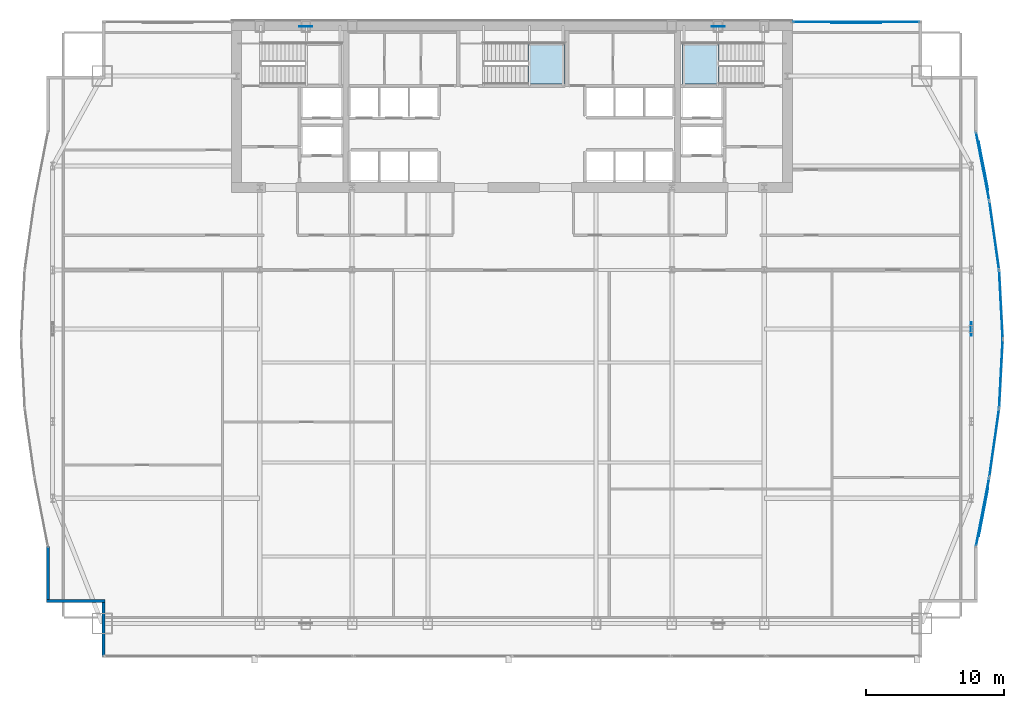
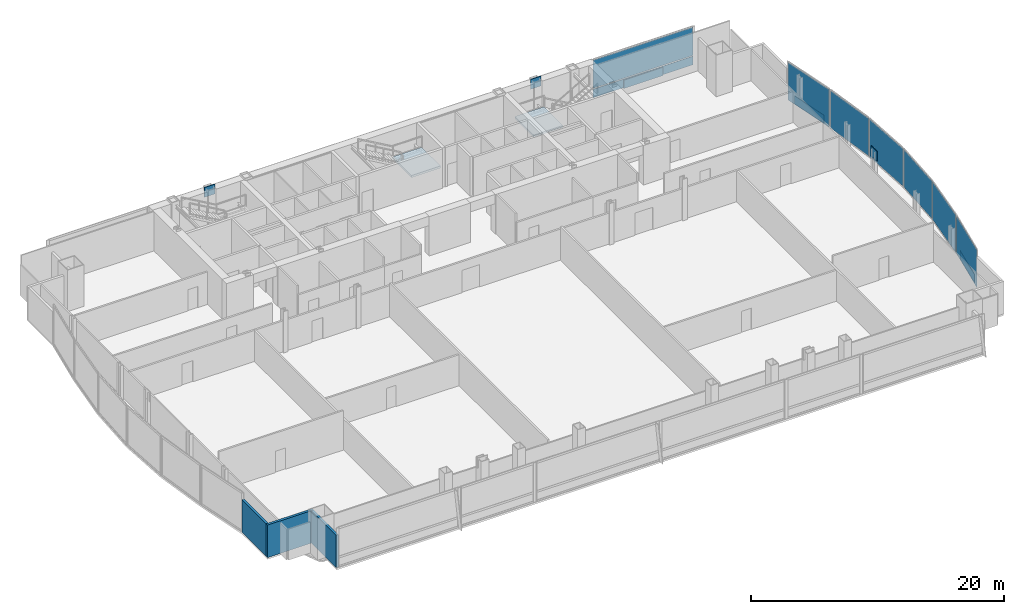
# One storey, part 27 of 34: 14 plates, 3 walls, 2 slabs, 9 elements without a shape of their own.
"""IFC4 building model written with IfcOpenShell, lengths in metres."""

from ifc_helpers import new_model, si_unit, direction, frame, frame_2d, origin, origin_2d, place, context, subcontext, project, spatial, polyline, rectangle, outline, extrude, material, layer, layer_set, type_object, element, aggregate, save


model = new_model("IFC4")

# Units and contexts
model_context = context("Model", 3, precision=1e-05, world=origin(), true_north=direction((0.0, 1.0)))
body_context = subcontext(model_context, "Body", "Model", "MODEL_VIEW")
ifc_project = project(units=[si_unit("LENGTHUNIT", "METRE"), si_unit("AREAUNIT", "SQUARE_METRE"), si_unit("VOLUMEUNIT", "CUBIC_METRE"), si_unit("PLANEANGLEUNIT", "RADIAN"), si_unit("MASSUNIT", "GRAM", prefix="KILO")], contexts=[model_context])

# Site, building, storey
site_placement = place(None, origin())
site = spatial("IfcSite", under=ifc_project, at=site_placement, CompositionType="ELEMENT")
building_placement = place(site_placement, origin())
building = spatial("IfcBuilding", under=site, at=building_placement, Name="Khoronbel Lancet Exchange", CompositionType="ELEMENT")
storey_placement = place(building_placement, frame((0.0, 0.0, 102.60009765625)))
storey = spatial("IfcBuildingStorey", under=building, at=storey_placement, Name="L24", CompositionType="ELEMENT", Elevation=102.60009765625)

# Curtain wall, plate
ifc_material_1 = material(Name="Low-E Solar Control Insulating Glass", Category="glass")
curtain_wall_type_1 = type_object("IfcCurtainWallType", Name="CW-2", PredefinedType="NOTDEFINED", material=ifc_material_1)
curtain_wall_1_placement = place(storey_placement, origin())
curtain_wall_1 = element("IfcCurtainWall", 1, at=curtain_wall_1_placement, inside=storey, type_object=curtain_wall_type_1, Name="Unitised curtain wall CW-L24-NEFLK", PredefinedType="NOTDEFINED")
ifc_material_2 = material(Name="Bronze-Anodised Aluminium 6063-T6", Category="aluminium")
ifc_layer_1 = layer(ifc_material_2, 0.050048828125, Name="Bronze-Anodised Aluminium 6063-T6")
ifc_layer_set_1 = layer_set([ifc_layer_1], Name="Bronze-Anodised Aluminium 6063-T6")
plate_type_1 = type_object("IfcPlateType", Name="PLT-CSP1", PredefinedType="SHEET", material=ifc_layer_set_1)
plate_1_placement = place(storey_placement, frame((61.320068359375, 53.550048828125, 0.0498046875), z_axis=(0.0, 0.0, 1.0), x_axis=(-1.0, 0.0, 0.0)))
plate_1 = element("IfcPlate", 2, at=plate_1_placement, type_object=plate_type_1, Name="Insulated bronze spandrel cassette CW-L24-NEFLK", PredefinedType="SHEET", context=body_context, shape_type="SweptSolid", body=[
    extrude(rectangle(XDim=3.60009765625, YDim=0.050048828125, at=origin_2d()), origin(), (0.0, 0.0, 1.0), 0.800048828125),
])

curtain_wall_type_2 = type_object("IfcCurtainWallType", Name="CW-4", PredefinedType="NOTDEFINED", material=ifc_material_1)
curtain_wall_2_placement = place(storey_placement, origin())
curtain_wall_2 = element("IfcCurtainWall", 3, at=curtain_wall_2_placement, inside=storey, type_object=curtain_wall_type_2, Name="Unitised curtain wall CW-L24-E17", PredefinedType="NOTDEFINED")
plate_2_placement = place(storey_placement, frame((70.50439453125, 43.19970703125, 0.0498046875), z_axis=(0.0, 0.0, 1.0), x_axis=(0.190426133595, -0.981701526761, 0.0)))
plate_2 = element("IfcPlate", 4, at=plate_2_placement, type_object=plate_type_1, Name="Insulated bronze spandrel cassette CW-L24-E17", PredefinedType="SHEET", context=body_context, shape_type="SweptSolid", body=[
    extrude(rectangle(XDim=3.569580078125, YDim=0.050048828125, at=origin_2d()), origin(), (0.0, 0.0, 1.0), 0.800048828125),
])

curtain_wall_3_placement = place(storey_placement, origin())
curtain_wall_3 = element("IfcCurtainWall", 5, at=curtain_wall_3_placement, inside=storey, type_object=curtain_wall_type_2, Name="Unitised curtain wall CW-L24-E18", PredefinedType="NOTDEFINED")
plate_3_placement = place(storey_placement, frame((71.28564453125, 38.188232421875, 0.0849609375), z_axis=(0.0, 0.0, 1.0), x_axis=(0.1406052742, -0.990065733609, 0.0)))
plate_3 = element("IfcPlate", 6, at=plate_3_placement, type_object=plate_type_1, Name="CW4 panel 1.1", PredefinedType="CURTAIN_PANEL", context=body_context, shape_type="SweptSolid", body=[
    extrude(rectangle(XDim=4.893798828125, YDim=0.0380859375, at=origin_2d()), origin(), (0.0, 0.0, 1.0), 3.6298828125),
])
aggregate(curtain_wall_3, [plate_3])

curtain_wall_4_placement = place(storey_placement, origin())
curtain_wall_4 = element("IfcCurtainWall", 7, at=curtain_wall_4_placement, inside=storey, type_object=curtain_wall_type_2, Name="Unitised curtain wall CW-L24-E19", PredefinedType="NOTDEFINED")
plate_4_placement = place(storey_placement, frame((71.77001953125, 33.195556640625, 0.0849609375), z_axis=(0.0, 0.0, 1.0), x_axis=(0.051920340209, -0.998651229545, 0.0)))
plate_4 = element("IfcPlate", 8, at=plate_4_placement, type_object=plate_type_1, Name="CW4 panel 1.1", PredefinedType="CURTAIN_PANEL", context=body_context, shape_type="SweptSolid", body=[
    extrude(rectangle(XDim=4.84814453125, YDim=0.0380859375, at=origin_2d()), origin(), (0.0, 0.0, 1.0), 3.6298828125),
])
aggregate(curtain_wall_4, [plate_4])

curtain_wall_5_placement = place(storey_placement, origin())
curtain_wall_5 = element("IfcCurtainWall", 9, at=curtain_wall_5_placement, inside=storey, type_object=curtain_wall_type_2, Name="Unitised curtain wall CW-L24-E20", PredefinedType="NOTDEFINED")
plate_5_placement = place(storey_placement, frame((71.77001953125, 28.204345703125, 0.0849609375), z_axis=(0.0, 0.0, 1.0), x_axis=(-0.051920340209, -0.998651229545, 0.0)))
plate_5 = element("IfcPlate", 10, at=plate_5_placement, type_object=plate_type_1, Name="CW4 panel 1.1", PredefinedType="CURTAIN_PANEL", context=body_context, shape_type="SweptSolid", body=[
    extrude(rectangle(XDim=4.84814453125, YDim=0.0380859375, at=origin_2d()), origin(), (0.0, 0.0, 1.0), 3.6298828125),
])
aggregate(curtain_wall_5, [plate_5])

curtain_wall_6_placement = place(storey_placement, origin())
curtain_wall_6 = element("IfcCurtainWall", 11, at=curtain_wall_6_placement, inside=storey, type_object=curtain_wall_type_2, Name="Unitised curtain wall CW-L24-E21", PredefinedType="NOTDEFINED")
plate_6_placement = place(storey_placement, frame((71.28564453125, 23.2119140625, 0.0849609375), z_axis=(0.0, 0.0, 1.0), x_axis=(-0.1406052742, -0.990065733609, 0.0)))
plate_6 = element("IfcPlate", 12, at=plate_6_placement, type_object=plate_type_1, Name="CW4 panel 1.1", PredefinedType="CURTAIN_PANEL", context=body_context, shape_type="SweptSolid", body=[
    extrude(rectangle(XDim=4.893798828125, YDim=0.0380859375, at=origin_2d()), origin(), (0.0, 0.0, 1.0), 3.6298828125),
])
aggregate(curtain_wall_6, [plate_6])

curtain_wall_7_placement = place(storey_placement, origin())
curtain_wall_7 = element("IfcCurtainWall", 13, at=curtain_wall_7_placement, inside=storey, type_object=curtain_wall_type_2, Name="Unitised curtain wall CW-L24-E22", PredefinedType="NOTDEFINED")
plate_7_placement = place(storey_placement, frame((70.50439453125, 18.200439453125, 0.0498046875), z_axis=(0.0, 0.0, 1.0), x_axis=(-0.190426133595, -0.981701526761, 0.0)))
plate_7 = element("IfcPlate", 14, at=plate_7_placement, type_object=plate_type_1, Name="Insulated bronze spandrel cassette CW-L24-E22", PredefinedType="SHEET", context=body_context, shape_type="SweptSolid", body=[
    extrude(rectangle(XDim=3.569580078125, YDim=0.050048828125, at=origin_2d()), origin(), (0.0, 0.0, 1.0), 0.800048828125),
])

# Plate
ifc_layer_2 = layer(ifc_material_1, 0.035888671875, Name="Low-E Solar Control Insulating Glass")
ifc_layer_set_2 = layer_set([ifc_layer_2], Name="Low-E Solar Control Insulating Glass")
plate_type_2 = type_object("IfcPlateType", Name="PLT-CWP1", PredefinedType="CURTAIN_PANEL", material=ifc_layer_set_2)
plate_8_placement = place(storey_placement, frame((61.320068359375, 53.610107421875, 0.0849609375), z_axis=(0.0, 0.0, 1.0), x_axis=(-1.0, 0.0, 0.0)))
plate_8 = element("IfcPlate", 15, at=plate_8_placement, type_object=plate_type_2, Name="CW2 panel 1.1", PredefinedType="CURTAIN_PANEL", context=body_context, shape_type="SweptSolid", body=[
    extrude(rectangle(XDim=9.110107421875, YDim=0.0380859375, at=origin_2d()), origin(), (0.0, 0.0, 1.0), 0.822509765625),
])

plate_9_placement = place(storey_placement, frame((61.320068359375, 53.610107421875, 0.99267578125), z_axis=(0.0, 0.0, 1.0), x_axis=(-1.0, 0.0, 0.0)))
plate_9 = element("IfcPlate", 16, at=plate_9_placement, type_object=plate_type_2, Name="CW2 panel 1.2", PredefinedType="CURTAIN_PANEL", context=body_context, shape_type="SweptSolid", body=[
    extrude(rectangle(XDim=9.110107421875, YDim=0.0380859375, at=origin_2d()), origin(), (0.0, 0.0, 1.0), 2.722412109375),
])

aggregate(curtain_wall_1, [plate_8, plate_9, plate_1])

ifc_material_3 = material(Name="Ceramic-Fritted Laminated Insulating Glass", Category="glass")
ifc_layer_3 = layer(ifc_material_3, 0.0419921875, Name="Ceramic-Fritted Laminated Insulating Glass")
ifc_layer_set_3 = layer_set([ifc_layer_3], Name="Ceramic-Fritted Laminated Insulating Glass")
plate_type_3 = type_object("IfcPlateType", Name="PLT-CWP2", PredefinedType="CURTAIN_PANEL", material=ifc_layer_set_3)
plate_10_placement = place(storey_placement, frame((70.445556640625, 43.188232421875, 0.0849609375), z_axis=(0.0, 0.0, 1.0), x_axis=(0.190426133595, -0.981701526761, 0.0)))
plate_10 = element("IfcPlate", 17, at=plate_10_placement, type_object=plate_type_3, Name="CW4 panel 1.1", PredefinedType="CURTAIN_PANEL", context=body_context, shape_type="SweptSolid", body=[
    extrude(rectangle(XDim=4.94970703125, YDim=0.0380859375, at=origin_2d()), origin(), (0.0, 0.0, 1.0), 3.6298828125),
])

aggregate(curtain_wall_2, [plate_10, plate_2])

plate_11_placement = place(storey_placement, frame((70.445556640625, 18.211669921875, 0.0849609375), z_axis=(0.0, 0.0, 1.0), x_axis=(-0.190426133595, -0.981701526761, 0.0)))
plate_11 = element("IfcPlate", 18, at=plate_11_placement, type_object=plate_type_3, Name="CW4 panel 1.1", PredefinedType="CURTAIN_PANEL", context=body_context, shape_type="SweptSolid", body=[
    extrude(rectangle(XDim=4.94970703125, YDim=0.0380859375, at=origin_2d()), origin(), (0.0, 0.0, 1.0), 3.6298828125),
])

aggregate(curtain_wall_7, [plate_11, plate_7])

# Plates
ifc_material_4 = material(Name="Steel S460", Category="steel")
ifc_layer_4 = layer(ifc_material_4, 0.06005859375, Name="Steel S460")
ifc_layer_set_4 = layer_set([ifc_layer_4], Name="Steel S460")
plate_type_4 = type_object("IfcPlateType", Name="PLT-ND1", PredefinedType="USERDEFINED", material=ifc_layer_set_4)
for number, where, z_axis, x_axis, name in (
    (19, (21.5625, 53.280029296875, 3.1748046875), (0.0, 0.0, 1.0), (1.0, 0.0, 0.0), "ND1 perimeter brace node gusset T07-N-W"),
    (20, (51.33740234375, 53.280029296875, 3.1748046875), (0.0, 0.0, 1.0), (1.0, 0.0, 0.0), "ND1 perimeter brace node gusset T07-N-E"),
    (21, (69.6298828125, 31.425048828125, 3.1748046875), (0.0, 0.0, 1.0), (0.0, 1.0, 0.0), "ND1 perimeter brace node gusset T07-E-P"),
):
    element("IfcPlate", number, at=place(storey_placement, frame(where, z_axis=z_axis, x_axis=x_axis)), inside=storey, type_object=plate_type_4, Name=name, ObjectType="GUSSET_PLATE", PredefinedType="USERDEFINED", context=body_context, shape_type="SweptSolid", body=[
        extrude(rectangle(XDim=0.949951171875, YDim=0.06005859375, at=origin_2d()), origin(), (0.0, 0.0, 1.0), 0.949951171875),
    ])

# Stair, slab
ifc_material_5 = material(Name="Concrete C40/50", Category="concrete")
stair_type = type_object("IfcStairType", Name="STR-CORE150", PredefinedType="HALF_TURN_STAIR", material=ifc_material_5)
stair_1_placement = place(storey_placement, origin())
stair_1 = element("IfcStair", 22, at=stair_1_placement, inside=storey, type_object=stair_type, Name="L24 Protected Exit Stair ST2", PredefinedType="HALF_TURN_STAIR")
ifc_layer_5 = layer(ifc_material_5, 0.199951171875, Name="Concrete C40/50")
ifc_layer_set_5 = layer_set([ifc_layer_5], Name="Concrete C40/50")
slab_type = type_object("IfcSlabType", Name="SL-LND180", PredefinedType="LANDING", material=ifc_layer_set_5)
slab_1_placement = place(storey_placement, frame((0.0, 0.0, 1.7998046875)))
slab_1 = element("IfcSlab", 23, at=slab_1_placement, type_object=slab_type, Name="ST2 landing 1", PredefinedType="LANDING", context=body_context, shape_type="SweptSolid", body=[
    extrude(outline(polyline([(51.409912109375, 52.10009765625), (48.75, 52.10009765625), (48.75, 49.1201171875), (51.409912109375, 49.1201171875), (51.409912109375, 52.10009765625)])), origin(), (0.0, 0.0, 1.0), 0.2001953125),
])
aggregate(stair_1, [slab_1])

stair_2_placement = place(storey_placement, origin())
stair_2 = element("IfcStair", 24, at=stair_2_placement, inside=storey, type_object=stair_type, Name="L24 Protected Exit Stair ST3", PredefinedType="HALF_TURN_STAIR")
slab_2_placement = place(storey_placement, frame((0.0, 0.0, 1.7998046875)))
slab_2 = element("IfcSlab", 25, at=slab_2_placement, type_object=slab_type, Name="ST3 landing 1", PredefinedType="LANDING", context=body_context, shape_type="SweptSolid", body=[
    extrude(outline(polyline([(37.590087890625, 49.1201171875), (40.25, 49.1201171875), (40.25, 52.10009765625), (37.590087890625, 52.10009765625), (37.590087890625, 49.1201171875)])), origin(), (0.0, 0.0, 1.0), 0.2001953125),
])
aggregate(stair_2, [slab_2])

# Walls
ifc_material_6 = material(Name="Precast concrete C40/50", Category="concrete")
ifc_layer_6 = layer(ifc_material_6, 0.25, Name="Precast concrete C40/50")
ifc_layer_set_6 = layer_set([ifc_layer_6], Name="Precast concrete C40/50")
wall_type = type_object("IfcWallType", Name="WL-EXT250", PredefinedType="SOLIDWALL", material=ifc_layer_set_6)
wall_1_placement = place(storey_placement, frame((6.93994140625, 7.77001953125, 0.0), z_axis=(0.0, 0.0, 1.0), x_axis=(0.0, 1.0, 0.0)))
element("IfcWall", 26, at=wall_1_placement, inside=storey, type_object=wall_type, Name="Level L24 notched-corner limestone pier 01", PredefinedType="SOLIDWALL", context=body_context, shape_type="SweptSolid", body=[
    extrude(rectangle(XDim=3.909912109375, YDim=0.219970703125, at=frame_2d((1.955078125, 0.0))), origin(), (0.0, 0.0, 1.0), 3.139892578125),
])
wall_2_placement = place(storey_placement, frame((7.050048828125, 11.7900390625, 0.0), z_axis=(0.0, 0.0, 1.0), x_axis=(-1.0, 0.0, 0.0)))
element("IfcWall", 27, at=wall_2_placement, inside=storey, type_object=wall_type, Name="Level L24 notched-corner limestone pier 02", PredefinedType="SOLIDWALL", context=body_context, shape_type="SweptSolid", body=[
    extrude(rectangle(XDim=4.219970703125, YDim=0.219970703125, at=frame_2d((2.10986328125, 0.0))), origin(), (0.0, 0.0, 1.0), 3.139892578125),
])
wall_3_placement = place(storey_placement, frame((2.93994140625, 11.89990234375, 0.0), z_axis=(0.0, 0.0, 1.0), x_axis=(0.0, 1.0, 0.0)))
element("IfcWall", 28, at=wall_3_placement, inside=storey, type_object=wall_type, Name="Level L24 notched-corner limestone pier 03", PredefinedType="SOLIDWALL", context=body_context, shape_type="SweptSolid", body=[
    extrude(rectangle(XDim=3.82861328125, YDim=0.219970703125, at=frame_2d((1.914306640625, 0.0))), origin(), (0.0, 0.0, 1.0), 3.139892578125),
])

save(model, "model.ifc")
